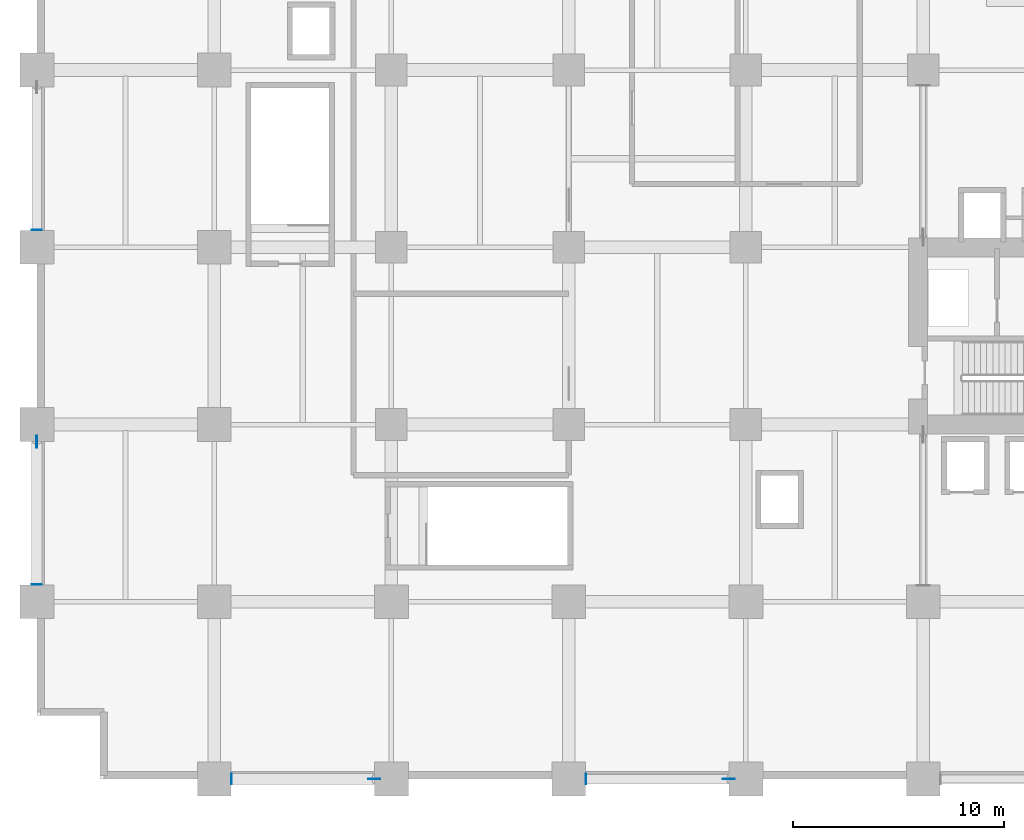
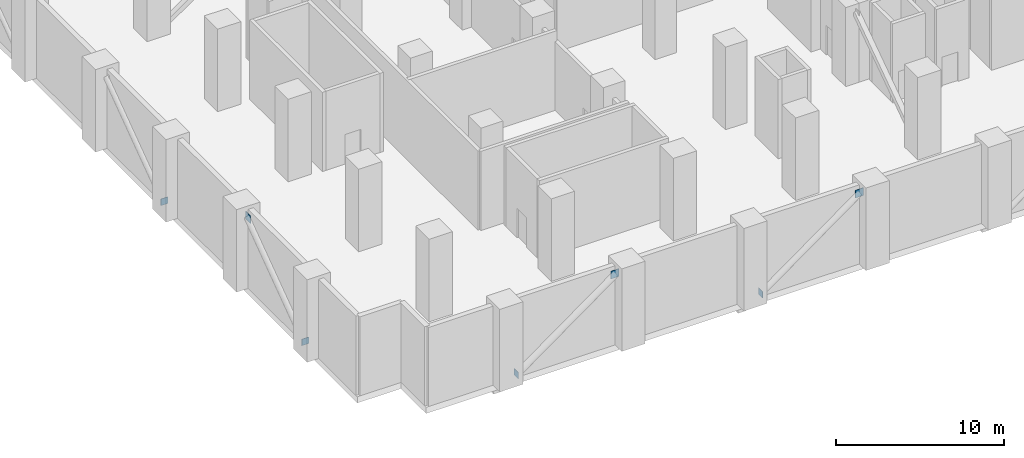
# One storey, part 6 of 20: 7 plates.
"""IFC4 building model written with IfcOpenShell, lengths in metres."""

from ifc_helpers import new_model, si_unit, direction, frame, origin, origin_2d, place, context, subcontext, project, spatial, rectangle, extrude, material, layer, layer_set, type_object, element, save


model = new_model("IFC4")

# Units and contexts
model_context = context("Model", 3, precision=1e-05, world=origin(), true_north=direction((0.0, 1.0)))
body_context = subcontext(model_context, "Body", "Model", "MODEL_VIEW")
ifc_project = project(units=[si_unit("LENGTHUNIT", "METRE"), si_unit("AREAUNIT", "SQUARE_METRE"), si_unit("VOLUMEUNIT", "CUBIC_METRE"), si_unit("PLANEANGLEUNIT", "RADIAN"), si_unit("MASSUNIT", "GRAM", prefix="KILO")], contexts=[model_context])

# Site, building, storey
site_placement = place(None, origin())
site = spatial("IfcSite", under=ifc_project, at=site_placement, CompositionType="ELEMENT")
building_placement = place(site_placement, origin())
building = spatial("IfcBuilding", under=site, at=building_placement, Name="Koriwani Terraces Tower", CompositionType="ELEMENT")
storey_placement = place(building_placement, frame((0.0, 0.0, 26.0)))
storey = spatial("IfcBuildingStorey", under=building, at=storey_placement, Name="L05", CompositionType="ELEMENT", Elevation=26.0)

# Plates
ifc_material = material(Name="Steel ASTM A572 Grade 50", Category="steel")
ifc_layer_1 = layer(ifc_material, 0.02490234375, Name="Steel ASTM A572 Grade 50")
ifc_layer_set_1 = layer_set([ifc_layer_1], Name="Steel ASTM A572 Grade 50")
plate_type_1 = type_object("IfcPlateType", Name="STEEL_CAP_PLATE_25", PredefinedType="USERDEFINED", material=ifc_layer_set_1)
for number, where, z_axis, x_axis, name in (
    (1, (9.21240234375, 0.0, 0.033447265625), (0.0, 0.0, 1.0), (1.0, 0.0, 0.0), "Brace End Cap Plate BT-L05-BS1"),
    (2, (26.012451171875, 0.0, 0.033447265625), (0.0, 0.0, 1.0), (1.0, 0.0, 0.0), "Brace End Cap Plate BT-L05-BS2"),
    (3, (0.0, 9.21240234375, 0.033447265625), (0.0, 0.0, 1.0), (0.0, 1.0, 0.0), "Brace End Cap Plate BT-L05-BW1"),
    (4, (0.0, 26.012451171875, 0.033447265625), (0.0, 0.0, 1.0), (0.0, 1.0, 0.0), "Brace End Cap Plate BT-L05-BW2"),
):
    element("IfcPlate", number, at=place(storey_placement, frame(where, z_axis=z_axis, x_axis=x_axis)), inside=storey, type_object=plate_type_1, Name=name, ObjectType="FLANGE_PLATE", PredefinedType="USERDEFINED", context=body_context, shape_type="SweptSolid", body=[
        extrude(rectangle(XDim=0.02490234375, YDim=0.47998046875, at=origin_2d()), origin(), (0.0, 0.0, 1.0), 0.47998046875),
    ])
ifc_layer_2 = layer(ifc_material, 0.0400390625, Name="Steel ASTM A572 Grade 50")
ifc_layer_set_2 = layer_set([ifc_layer_2], Name="Steel ASTM A572 Grade 50")
plate_type_2 = type_object("IfcPlateType", Name="STEEL_GUSSET_PLATE_40", PredefinedType="USERDEFINED", material=ifc_layer_set_2)
for number, where, z_axis, x_axis, name in (
    (5, (15.987548828125, 0.0, 4.896484375), (0.0, 0.0, 1.0), (1.0, 0.0, 0.0), "Brace Node Gusset Plate BT-L05-BS1"),
    (6, (32.78759765625, 0.0, 4.896484375), (0.0, 0.0, 1.0), (1.0, 0.0, 0.0), "Brace Node Gusset Plate BT-L05-BS2"),
    (7, (0.0, 15.987548828125, 4.896484375), (0.0, 0.0, 1.0), (0.0, 1.0, 0.0), "Brace Node Gusset Plate BT-L05-BW1"),
):
    element("IfcPlate", number, at=place(storey_placement, frame(where, z_axis=z_axis, x_axis=x_axis)), inside=storey, type_object=plate_type_2, Name=name, ObjectType="GUSSET_PLATE", PredefinedType="USERDEFINED", context=body_context, shape_type="SweptSolid", body=[
        extrude(rectangle(XDim=0.56005859375, YDim=0.0400390625, at=origin_2d()), origin(), (0.0, 0.0, 1.0), 0.56005859375),
    ])

save(model, "model.ifc")
